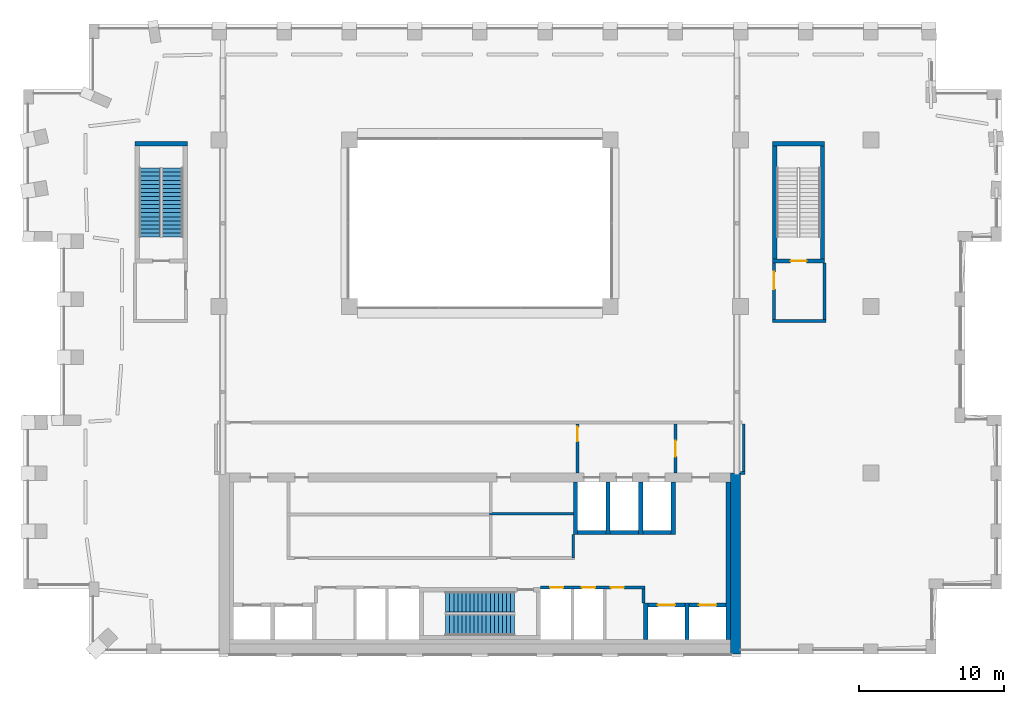
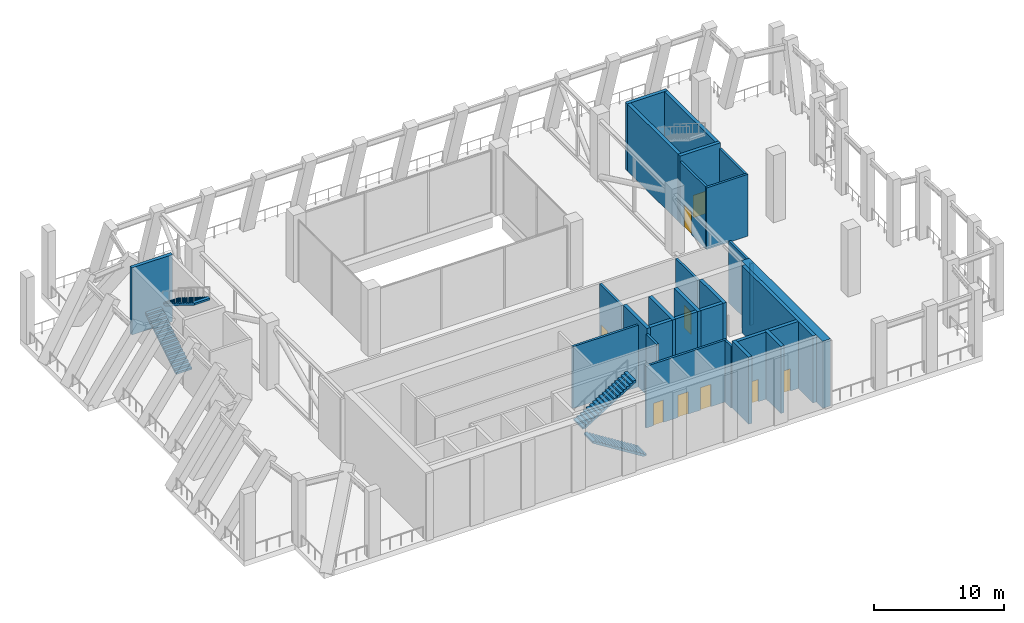
# One storey, part 11 of 14: 29 walls, 9 doors, 4 stair flights, 9 openings, 2 elements without a shape of their own.
"""IFC4 building model written with IfcOpenShell, lengths in metres."""

from ifc_helpers import new_model, si_unit, direction, frame, frame_2d, origin, place, context, subcontext, project, spatial, polyline, rectangle, outline, extrude, material, layer, layer_set, type_object, element, fill, aggregate, save


model = new_model("IFC4")

# Units and contexts
model_context = context("Model", 3, precision=1e-05, world=origin(), true_north=direction((0.0, 1.0)))
body_context = subcontext(model_context, "Body", "Model", "MODEL_VIEW")
ifc_project = project(units=[si_unit("LENGTHUNIT", "METRE"), si_unit("AREAUNIT", "SQUARE_METRE"), si_unit("VOLUMEUNIT", "CUBIC_METRE"), si_unit("PLANEANGLEUNIT", "RADIAN"), si_unit("MASSUNIT", "GRAM", prefix="KILO")], contexts=[model_context])

# Site, building, storey
site_placement = place(None, origin())
site = spatial("IfcSite", under=ifc_project, at=site_placement, CompositionType="ELEMENT")
building_placement = place(site_placement, origin())
building = spatial("IfcBuilding", under=site, at=building_placement, Name="Brigalow Station Residences", CompositionType="ELEMENT")
storey_placement = place(building_placement, frame((0.0, 0.0, 185.39990234375)))
storey = spatial("IfcBuildingStorey", under=building, at=storey_placement, Name="L54", CompositionType="ELEMENT", Elevation=185.39990234375)

# Walls
ifc_material_1 = material(Name="Concrete C65", Category="concrete")
ifc_layer_1 = layer(ifc_material_1, 0.300048828125)
ifc_layer_set_1 = layer_set([ifc_layer_1], Name="CORE SHEAR WALL 300 C65")
wall_type_1 = type_object("IfcWallType", Name="CORE SHEAR WALL 300 C65", PredefinedType="SHEAR", material=ifc_layer_set_1)
wall_1_placement = place(storey_placement, frame((53.14990234375, 1.0, 0.0), z_axis=(0.0, 0.0, 1.0), x_axis=(0.0, 1.0, 0.0)))
element("IfcWall", 1, at=wall_1_placement, inside=storey, type_object=wall_type_1, Name="CORE WALL LIN-E L54", PredefinedType="SHEAR", context=body_context, shape_type="SweptSolid", body=[
    extrude(rectangle(XDim=10.89990234375, YDim=0.300048828125, at=frame_2d((5.449951171875, 0.0))), origin(), (0.0, 0.0, 1.0), 6.300048828125),
])
wall_2_placement = place(storey_placement, frame((42.75, 8.39990234375, 0.0), z_axis=(0.0, 0.0, 1.0), x_axis=(1.0, 0.0, 0.0)))
element("IfcWall", 2, at=wall_2_placement, inside=storey, type_object=wall_type_1, Name="CORE WALL SH-FF1-S L54", PredefinedType="SHEAR", context=body_context, shape_type="SweptSolid", body=[
    extrude(rectangle(XDim=1.949951171875, YDim=0.300048828125, at=frame_2d((0.97509765625, 0.0))), origin(), (0.0, 0.0, 1.0), 6.300048828125),
])
wall_3_placement = place(storey_placement, frame((42.60009765625, 8.25, 0.0), z_axis=(0.0, 0.0, 1.0), x_axis=(0.0, 1.0, 0.0)))
element("IfcWall", 3, at=wall_3_placement, inside=storey, type_object=wall_type_1, Name="CORE WALL SH-FF1-W L54", PredefinedType="SHEAR", context=body_context, shape_type="SweptSolid", body=[
    extrude(rectangle(XDim=3.64990234375, YDim=0.300048828125, at=frame_2d((1.824951171875, 0.0))), origin(), (0.0, 0.0, 1.0), 6.300048828125),
])
wall_4_placement = place(storey_placement, frame((45.0, 8.39990234375, 0.0), z_axis=(0.0, 0.0, 1.0), x_axis=(1.0, 0.0, 0.0)))
element("IfcWall", 4, at=wall_4_placement, inside=storey, type_object=wall_type_1, Name="CORE WALL SH-FF2-S L54", PredefinedType="SHEAR", context=body_context, shape_type="SweptSolid", body=[
    extrude(rectangle(XDim=1.949951171875, YDim=0.300048828125, at=frame_2d((0.97509765625, 0.0))), origin(), (0.0, 0.0, 1.0), 6.300048828125),
])
wall_5_placement = place(storey_placement, frame((44.85009765625, 8.25, 0.0), z_axis=(0.0, 0.0, 1.0), x_axis=(0.0, 1.0, 0.0)))
element("IfcWall", 5, at=wall_5_placement, inside=storey, type_object=wall_type_1, Name="CORE WALL SH-FF2-W L54", PredefinedType="SHEAR", context=body_context, shape_type="SweptSolid", body=[
    extrude(rectangle(XDim=3.64990234375, YDim=0.300048828125, at=frame_2d((1.824951171875, 0.0))), origin(), (0.0, 0.0, 1.0), 6.300048828125),
])
wall_6_placement = place(storey_placement, frame((47.25, 8.39990234375, 0.0), z_axis=(0.0, 0.0, 1.0), x_axis=(1.0, 0.0, 0.0)))
element("IfcWall", 6, at=wall_6_placement, inside=storey, type_object=wall_type_1, Name="CORE WALL SH-SL1-S L54", PredefinedType="SHEAR", context=body_context, shape_type="SweptSolid", body=[
    extrude(rectangle(XDim=1.949951171875, YDim=0.300048828125, at=frame_2d((0.97509765625, 0.0))), origin(), (0.0, 0.0, 1.0), 6.300048828125),
])
for number, where, z_axis, x_axis, name in (
    (7, (47.10009765625, 8.25, 0.0), (0.0, 0.0, 1.0), (0.0, 1.0, 0.0), "CORE WALL SH-SL1-W L54"),
    (8, (49.35009765625, 8.25, 0.0), (0.0, 0.0, 1.0), (0.0, 1.0, 0.0), "CORE WALL SH-SL1-E L54"),
):
    element("IfcWall", number, at=place(storey_placement, frame(where, z_axis=z_axis, x_axis=x_axis)), inside=storey, type_object=wall_type_1, Name=name, PredefinedType="SHEAR", context=body_context, shape_type="SweptSolid", body=[
        extrude(rectangle(XDim=3.64990234375, YDim=0.300048828125, at=frame_2d((1.824951171875, 0.0))), origin(), (0.0, 0.0, 1.0), 6.300048828125),
    ])

# Wall, opening, door
wall_7_placement = place(storey_placement, frame((47.60009765625, 3.39990234375, 0.0), z_axis=(0.0, 0.0, 1.0), x_axis=(1.0, 0.0, 0.0)))
wall_7 = element("IfcWall", 9, at=wall_7_placement, inside=storey, type_object=wall_type_1, Name="CORE WALL SH-C3-N L54", PredefinedType="SHEAR", context=body_context, shape_type="SweptSolid", body=[
    extrude(rectangle(XDim=2.5498046875, YDim=0.300048828125, at=frame_2d((1.27490234375, 0.0))), origin(), (0.0, 0.0, 1.0), 6.300048828125),
])
opening_1_placement = place(wall_7_placement, frame((0.675048828125, 0.0, 0.0)))
opening_1 = element("IfcOpeningElement", 10, at=opening_1_placement, cuts=wall_7, Name="Opening LD-LB3", PredefinedType="OPENING", context=body_context, shape_type="SweptSolid", body=[
    extrude(rectangle(XDim=1.199951171875, YDim=2.10009765625, at=frame_2d((0.60009765625, 1.050048828125))), frame((0.0, 0.16015625, 0.0), z_axis=(0.0, -1.0, 0.0), x_axis=(1.0, 0.0, 0.0)), (0.0, 0.0, 1.0), 0.320068359375),
])
ifc_material_2 = material(Name="Stainless steel sliding door leaves", Category="steel")
door_type_1 = type_object("IfcDoorType", Name="LIFT LANDING DOOR 1200 x 2100", OperationType="DOUBLE_DOOR_SLIDING", PredefinedType="DOOR", material=ifc_material_2)
door_1_placement = place(opening_1_placement, origin())
door_1 = element("IfcDoor", 11, at=door_1_placement, inside=storey, type_object=door_type_1, Name="LANDING DOOR LB3", OperationType="DOUBLE_DOOR_SLIDING", OverallHeight=2.10009765625, OverallWidth=1.199951171875, PredefinedType="DOOR", context=body_context, shape_type="SweptSolid", body=[
    extrude(rectangle(XDim=1.199951171875, YDim=2.10009765625, at=frame_2d((0.60009765625, 1.050048828125))), frame((0.0, 0.02490234375, 0.0), z_axis=(0.0, -1.0, 0.0), x_axis=(1.0, 0.0, 0.0)), (0.0, 0.0, 1.0), 0.050048828125),
])
fill(opening_1, door_1)

# Wall
wall_8_placement = place(storey_placement, frame((47.449951171875, 1.0, 0.0), z_axis=(0.0, 0.0, 1.0), x_axis=(0.0, 1.0, 0.0)))
element("IfcWall", 12, at=wall_8_placement, inside=storey, type_object=wall_type_1, Name="CORE WALL SH-C3-W L54", PredefinedType="SHEAR", context=body_context, shape_type="SweptSolid", body=[
    extrude(rectangle(XDim=2.550048828125, YDim=0.300048828125, at=frame_2d((1.27490234375, 0.0))), origin(), (0.0, 0.0, 1.0), 6.300048828125),
])

# Wall, opening, door
wall_9_placement = place(storey_placement, frame((50.449951171875, 3.39990234375, 0.0), z_axis=(0.0, 0.0, 1.0), x_axis=(1.0, 0.0, 0.0)))
wall_9 = element("IfcWall", 13, at=wall_9_placement, inside=storey, type_object=wall_type_1, Name="CORE WALL SH-C4-N L54", PredefinedType="SHEAR", context=body_context, shape_type="SweptSolid", body=[
    extrude(rectangle(XDim=2.550048828125, YDim=0.300048828125, at=frame_2d((1.27490234375, 0.0))), origin(), (0.0, 0.0, 1.0), 6.300048828125),
])
opening_2_placement = place(wall_9_placement, frame((0.675048828125, 0.0, 0.0)))
opening_2 = element("IfcOpeningElement", 14, at=opening_2_placement, cuts=wall_9, Name="Opening LD-LB4", PredefinedType="OPENING", context=body_context, shape_type="SweptSolid", body=[
    extrude(rectangle(XDim=1.199951171875, YDim=2.10009765625, at=frame_2d((0.60009765625, 1.050048828125))), frame((0.0, 0.16015625, 0.0), z_axis=(0.0, -1.0, 0.0), x_axis=(1.0, 0.0, 0.0)), (0.0, 0.0, 1.0), 0.320068359375),
])
door_2_placement = place(opening_2_placement, origin())
door_2 = element("IfcDoor", 15, at=door_2_placement, inside=storey, type_object=door_type_1, Name="LANDING DOOR LB4", OperationType="DOUBLE_DOOR_SLIDING", OverallHeight=2.10009765625, OverallWidth=1.199951171875, PredefinedType="DOOR", context=body_context, shape_type="SweptSolid", body=[
    extrude(rectangle(XDim=1.199951171875, YDim=2.10009765625, at=frame_2d((0.60009765625, 1.050048828125))), frame((0.0, 0.02490234375, 0.0), z_axis=(0.0, -1.0, 0.0), x_axis=(1.0, 0.0, 0.0)), (0.0, 0.0, 1.0), 0.050048828125),
])
fill(opening_2, door_2)

# Walls
wall_10_placement = place(storey_placement, frame((50.300048828125, 1.0, 0.0), z_axis=(0.0, 0.0, 1.0), x_axis=(0.0, 1.0, 0.0)))
element("IfcWall", 16, at=wall_10_placement, inside=storey, type_object=wall_type_1, Name="CORE WALL SH-C4-W L54", PredefinedType="SHEAR", context=body_context, shape_type="SweptSolid", body=[
    extrude(rectangle(XDim=2.550048828125, YDim=0.300048828125, at=frame_2d((1.27490234375, 0.0))), origin(), (0.0, 0.0, 1.0), 6.300048828125),
])
wall_11_placement = place(storey_placement, frame((12.199951171875, 35.25, 0.0), z_axis=(0.0, 0.0, 1.0), x_axis=(1.0, 0.0, 0.0)))
element("IfcWall", 17, at=wall_11_placement, inside=storey, type_object=wall_type_1, Name="CORE WALL ST-S1-N L54", PredefinedType="SHEAR", context=body_context, shape_type="SweptSolid", body=[
    extrude(rectangle(XDim=3.60009765625, YDim=0.300048828125, at=frame_2d((1.800048828125, 0.0))), origin(), (0.0, 0.0, 1.0), 6.300048828125),
])

# Wall, opening, door
wall_12_placement = place(storey_placement, frame((56.199951171875, 27.14990234375, 0.0), z_axis=(0.0, 0.0, 1.0), x_axis=(1.0, 0.0, 0.0)))
wall_12 = element("IfcWall", 18, at=wall_12_placement, inside=storey, type_object=wall_type_1, Name="CORE WALL ST-S3-S L54", PredefinedType="SHEAR", context=body_context, shape_type="SweptSolid", body=[
    extrude(rectangle(XDim=3.60009765625, YDim=0.300048828125, at=frame_2d((1.800048828125, 0.0))), origin(), (0.0, 0.0, 1.0), 6.300048828125),
])
opening_3_placement = place(wall_12_placement, frame((1.25, 0.0, 0.0)))
opening_3 = element("IfcOpeningElement", 19, at=opening_3_placement, cuts=wall_12, Name="Opening D-5018", PredefinedType="OPENING", context=body_context, shape_type="SweptSolid", body=[
    extrude(rectangle(XDim=1.10009765625, YDim=2.10009765625, at=frame_2d((0.550048828125, 1.050048828125))), frame((0.0, 0.16015625, 0.0), z_axis=(0.0, -1.0, 0.0), x_axis=(1.0, 0.0, 0.0)), (0.0, 0.0, 1.0), 0.320068359375),
])
ifc_material_3 = material(Name="Steel fire door leaf in steel frame", Category="steel")
door_type_2 = type_object("IfcDoorType", Name="STAIR DOOR 1100 x 2100 FD60S", OperationType="SINGLE_SWING_LEFT", PredefinedType="DOOR", material=ifc_material_3)
door_3_placement = place(opening_3_placement, origin())
door_3 = element("IfcDoor", 20, at=door_3_placement, inside=storey, type_object=door_type_2, Name="D-5018", OperationType="SINGLE_SWING_LEFT", OverallHeight=2.10009765625, OverallWidth=1.10009765625, PredefinedType="DOOR", context=body_context, shape_type="SweptSolid", body=[
    extrude(rectangle(XDim=1.10009765625, YDim=2.10009765625, at=frame_2d((0.550048828125, 1.050048828125))), frame((0.0, 0.02490234375, 0.0), z_axis=(0.0, -1.0, 0.0), x_axis=(1.0, 0.0, 0.0)), (0.0, 0.0, 1.0), 0.050048828125),
])
fill(opening_3, door_3)

# Walls
wall_13_placement = place(storey_placement, frame((56.199951171875, 35.25, 0.0), z_axis=(0.0, 0.0, 1.0), x_axis=(1.0, 0.0, 0.0)))
element("IfcWall", 21, at=wall_13_placement, inside=storey, type_object=wall_type_1, Name="CORE WALL ST-S3-N L54", PredefinedType="SHEAR", context=body_context, shape_type="SweptSolid", body=[
    extrude(rectangle(XDim=3.60009765625, YDim=0.300048828125, at=frame_2d((1.800048828125, 0.0))), origin(), (0.0, 0.0, 1.0), 6.300048828125),
])
for number, where, z_axis, x_axis, name in (
    (22, (56.35009765625, 27.300048828125, 0.0), (0.0, 0.0, 1.0), (0.0, 1.0, 0.0), "CORE WALL ST-S3-W L54"),
    (23, (59.64990234375, 27.300048828125, 0.0), (0.0, 0.0, 1.0), (0.0, 1.0, 0.0), "CORE WALL ST-S3-E L54"),
):
    element("IfcWall", number, at=place(storey_placement, frame(where, z_axis=z_axis, x_axis=x_axis)), inside=storey, type_object=wall_type_1, Name=name, PredefinedType="SHEAR", context=body_context, shape_type="SweptSolid", body=[
        extrude(rectangle(XDim=7.800048828125, YDim=0.300048828125, at=frame_2d((3.89990234375, 0.0))), origin(), (0.0, 0.0, 1.0), 6.300048828125),
    ])
ifc_material_4 = material(Name="Concrete C65", Category="concrete")
ifc_layer_2 = layer(ifc_material_4, 0.699951171875)
ifc_layer_set_2 = layer_set([ifc_layer_2], Name="CORE SHEAR WALL 700 C65")
wall_type_2 = type_object("IfcWallType", Name="CORE SHEAR WALL 700 C65", PredefinedType="SHEAR", material=ifc_layer_set_2)
wall_14_placement = place(storey_placement, frame((53.64990234375, 0.0, 0.0), z_axis=(0.0, 0.0, 1.0), x_axis=(0.0, 1.0, 0.0)))
element("IfcWall", 24, at=wall_14_placement, inside=storey, type_object=wall_type_2, Name="CORE WALL OUT-E L54", PredefinedType="SHEAR", context=body_context, shape_type="SweptSolid", body=[
    extrude(rectangle(XDim=12.5, YDim=0.699951171875, at=frame_2d((6.25, 0.0))), origin(), (0.0, 0.0, 1.0), 6.300048828125),
])

# Wall, openings, doors
ifc_material_5 = material(Name="Concrete blockwork", Category="masonry")
ifc_layer_3 = layer(ifc_material_5, 0.199951171875)
ifc_layer_set_3 = layer_set([ifc_layer_3], Name="FIRE RATED CORE PARTITION 200")
wall_type_3 = type_object("IfcWallType", Name="FIRE RATED CORE PARTITION 200", PredefinedType="PARTITIONING", material=ifc_layer_set_3)
wall_15_placement = place(storey_placement, frame((40.199951171875, 4.60009765625, 0.0), z_axis=(0.0, 0.0, 1.0), x_axis=(1.0, 0.0, 0.0)))
wall_15 = element("IfcWall", 25, at=wall_15_placement, inside=storey, type_object=wall_type_3, Name="PW-5244", PredefinedType="PARTITIONING", context=body_context, shape_type="SweptSolid", body=[
    extrude(rectangle(XDim=7.199951171875, YDim=0.199951171875, at=frame_2d((3.60009765625, 0.0))), origin(), (0.0, 0.0, 1.0), 5.800048828125),
])
opening_4_placement = place(wall_15_placement, frame((4.85009765625, 0.0, 0.0)))
opening_4 = element("IfcOpeningElement", 26, at=opening_4_placement, cuts=wall_15, Name="Opening D-5005", PredefinedType="OPENING", context=body_context, shape_type="SweptSolid", body=[
    extrude(rectangle(XDim=0.89990234375, YDim=2.10009765625, at=frame_2d((0.449951171875, 1.050048828125))), frame((0.0, 0.10986328125, 0.0), z_axis=(0.0, -1.0, 0.0), x_axis=(1.0, 0.0, 0.0)), (0.0, 0.0, 1.0), 0.219970703125),
])
opening_5_placement = place(wall_15_placement, frame((0.64990234375, 0.0, 0.0)))
opening_5 = element("IfcOpeningElement", 27, at=opening_5_placement, cuts=wall_15, Name="Opening D-5009", PredefinedType="OPENING", context=body_context, shape_type="SweptSolid", body=[
    extrude(rectangle(XDim=0.89990234375, YDim=2.10009765625, at=frame_2d((0.449951171875, 1.050048828125))), frame((0.0, 0.10986328125, 0.0), z_axis=(0.0, -1.0, 0.0), x_axis=(1.0, 0.0, 0.0)), (0.0, 0.0, 1.0), 0.219970703125),
])
opening_6_placement = place(wall_15_placement, frame((2.85009765625, 0.0, 0.0)))
opening_6 = element("IfcOpeningElement", 28, at=opening_6_placement, cuts=wall_15, Name="Opening D-5010", PredefinedType="OPENING", context=body_context, shape_type="SweptSolid", body=[
    extrude(rectangle(XDim=0.89990234375, YDim=2.10009765625, at=frame_2d((0.449951171875, 1.050048828125))), frame((0.0, 0.10986328125, 0.0), z_axis=(0.0, -1.0, 0.0), x_axis=(1.0, 0.0, 0.0)), (0.0, 0.0, 1.0), 0.219970703125),
])
ifc_material_6 = material(Name="Steel fire door leaf in steel frame", Category="steel")
door_type_3 = type_object("IfcDoorType", Name="PLANT ROOM DOOR 900 x 2100 FD60", OperationType="SINGLE_SWING_LEFT", PredefinedType="DOOR", material=ifc_material_6)
door_4_placement = place(opening_4_placement, frame((0.89990234375, 0.0, 0.0), z_axis=(0.0, 0.0, 1.0), x_axis=(-1.0, 0.0, 0.0)))
door_4 = element("IfcDoor", 29, at=door_4_placement, inside=storey, type_object=door_type_3, Name="D-5005", OperationType="SINGLE_SWING_RIGHT", OverallHeight=2.10009765625, OverallWidth=0.89990234375, PredefinedType="DOOR", context=body_context, shape_type="SweptSolid", body=[
    extrude(rectangle(XDim=0.89990234375, YDim=2.10009765625, at=frame_2d((0.449951171875, 1.050048828125))), frame((0.0, 0.02490234375, 0.0), z_axis=(0.0, -1.0, 0.0), x_axis=(1.0, 0.0, 0.0)), (0.0, 0.0, 1.0), 0.050048828125),
])
fill(opening_4, door_4)
ifc_material_7 = material(Name="Steel fire door leaf in steel frame", Category="steel")
door_type_4 = type_object("IfcDoorType", Name="RISER ACCESS DOOR 900 x 2100 FD120", OperationType="SINGLE_SWING_LEFT", PredefinedType="DOOR", material=ifc_material_7)
door_5_placement = place(opening_5_placement, frame((0.89990234375, 0.0, 0.0), z_axis=(0.0, 0.0, 1.0), x_axis=(-1.0, 0.0, 0.0)))
door_5 = element("IfcDoor", 30, at=door_5_placement, inside=storey, type_object=door_type_4, Name="D-5009", OperationType="SINGLE_SWING_LEFT", OverallHeight=2.10009765625, OverallWidth=0.89990234375, PredefinedType="DOOR", context=body_context, shape_type="SweptSolid", body=[
    extrude(rectangle(XDim=0.89990234375, YDim=2.10009765625, at=frame_2d((0.449951171875, 1.050048828125))), frame((0.0, 0.02490234375, 0.0), z_axis=(0.0, -1.0, 0.0), x_axis=(1.0, 0.0, 0.0)), (0.0, 0.0, 1.0), 0.050048828125),
])
fill(opening_5, door_5)
door_6_placement = place(opening_6_placement, frame((0.89990234375, 0.0, 0.0), z_axis=(0.0, 0.0, 1.0), x_axis=(-1.0, 0.0, 0.0)))
door_6 = element("IfcDoor", 31, at=door_6_placement, inside=storey, type_object=door_type_4, Name="D-5010", OperationType="SINGLE_SWING_RIGHT", OverallHeight=2.10009765625, OverallWidth=0.89990234375, PredefinedType="DOOR", context=body_context, shape_type="SweptSolid", body=[
    extrude(rectangle(XDim=0.89990234375, YDim=2.10009765625, at=frame_2d((0.449951171875, 1.050048828125))), frame((0.0, 0.02490234375, 0.0), z_axis=(0.0, -1.0, 0.0), x_axis=(1.0, 0.0, 0.0)), (0.0, 0.0, 1.0), 0.050048828125),
])
fill(opening_6, door_6)

# Walls
wall_16_placement = place(storey_placement, frame((36.64990234375, 9.695068359375, 0.0), z_axis=(0.0, 0.0, 1.0), x_axis=(1.0, 0.0, 0.0)))
element("IfcWall", 32, at=wall_16_placement, inside=storey, type_object=wall_type_3, Name="PW-5296", PredefinedType="PARTITIONING", context=body_context, shape_type="SweptSolid", body=[
    extrude(rectangle(XDim=5.800048828125, YDim=0.199951171875, at=frame_2d((2.89990234375, 0.0))), origin(), (0.0, 0.0, 1.0), 5.800048828125),
])
wall_17_placement = place(storey_placement, frame((54.0, 12.5, 0.0), z_axis=(0.0, 0.0, 1.0), x_axis=(1.0, 0.0, 0.0)))
element("IfcWall", 33, at=wall_17_placement, inside=storey, type_object=wall_type_3, Name="PW-5249", PredefinedType="PARTITIONING", context=body_context, shape_type="SweptSolid", body=[
    extrude(rectangle(XDim=0.320068359375, YDim=0.199951171875, at=frame_2d((0.16015625, 0.0))), origin(), (0.0, 0.0, 1.0), 5.800048828125),
])
wall_18_placement = place(storey_placement, frame((56.199951171875, 23.0, 0.0), z_axis=(0.0, 0.0, 1.0), x_axis=(1.0, 0.0, 0.0)))
element("IfcWall", 34, at=wall_18_placement, inside=storey, type_object=wall_type_3, Name="PW-5351", PredefinedType="PARTITIONING", context=body_context, shape_type="SweptSolid", body=[
    extrude(rectangle(XDim=3.699951171875, YDim=0.199951171875, at=frame_2d((1.85009765625, 0.0))), origin(), (0.0, 0.0, 1.0), 5.800048828125),
])
wall_19_placement = place(storey_placement, frame((47.300048828125, 3.550048828125, 0.0), z_axis=(0.0, 0.0, 1.0), x_axis=(0.0, 1.0, 0.0)))
element("IfcWall", 35, at=wall_19_placement, inside=storey, type_object=wall_type_3, Name="PW-5251", PredefinedType="PARTITIONING", context=body_context, shape_type="SweptSolid", body=[
    extrude(rectangle(XDim=0.949951171875, YDim=0.199951171875, at=frame_2d((0.47509765625, 0.0))), origin(), (0.0, 0.0, 1.0), 5.800048828125),
])
wall_20_placement = place(storey_placement, frame((42.449951171875, 6.64990234375, 0.0), z_axis=(0.0, 0.0, 1.0), x_axis=(0.0, 1.0, 0.0)))
element("IfcWall", 36, at=wall_20_placement, inside=storey, type_object=wall_type_3, Name="PW-5011", PredefinedType="PARTITIONING", context=body_context, shape_type="SweptSolid", body=[
    extrude(rectangle(XDim=1.60009765625, YDim=0.199951171875, at=frame_2d((0.800048828125, 0.0))), origin(), (0.0, 0.0, 1.0), 5.800048828125),
])

# Wall, opening, door
wall_21_placement = place(storey_placement, frame((42.75, 12.5, 0.0), z_axis=(0.0, 0.0, 1.0), x_axis=(0.0, 1.0, 0.0)))
wall_21 = element("IfcWall", 37, at=wall_21_placement, inside=storey, type_object=wall_type_3, Name="PW-5014", PredefinedType="PARTITIONING", context=body_context, shape_type="SweptSolid", body=[
    extrude(rectangle(XDim=3.39990234375, YDim=0.199951171875, at=frame_2d((1.699951171875, 0.0))), origin(), (0.0, 0.0, 1.0), 5.800048828125),
])
opening_7_placement = place(wall_21_placement, frame((2.199951171875, 0.0, 0.0)))
opening_7 = element("IfcOpeningElement", 38, at=opening_7_placement, cuts=wall_21, Name="Opening D-5013", PredefinedType="OPENING", context=body_context, shape_type="SweptSolid", body=[
    extrude(rectangle(XDim=1.0, YDim=2.10009765625, at=frame_2d((0.5, 1.050048828125))), frame((0.0, 0.10986328125, 0.0), z_axis=(0.0, -1.0, 0.0), x_axis=(1.0, 0.0, 0.0)), (0.0, 0.0, 1.0), 0.219970703125),
])
ifc_material_8 = material(Name="Steel fire door leaf in steel frame", Category="steel")
door_type_5 = type_object("IfcDoorType", Name="LOBBY DOOR 1000 x 2100 FD60S", OperationType="SINGLE_SWING_LEFT", PredefinedType="DOOR", material=ifc_material_8)
door_7_placement = place(opening_7_placement, origin())
door_7 = element("IfcDoor", 39, at=door_7_placement, inside=storey, type_object=door_type_5, Name="D-5013", OperationType="SINGLE_SWING_RIGHT", OverallHeight=2.10009765625, OverallWidth=1.0, PredefinedType="DOOR", context=body_context, shape_type="SweptSolid", body=[
    extrude(rectangle(XDim=1.0, YDim=2.10009765625, at=frame_2d((0.5, 1.050048828125))), frame((0.0, 0.02490234375, 0.0), z_axis=(0.0, -1.0, 0.0), x_axis=(1.0, 0.0, 0.0)), (0.0, 0.0, 1.0), 0.050048828125),
])
fill(opening_7, door_7)

wall_22_placement = place(storey_placement, frame((49.5, 12.5, 0.0), z_axis=(0.0, 0.0, 1.0), x_axis=(0.0, 1.0, 0.0)))
wall_22 = element("IfcWall", 40, at=wall_22_placement, inside=storey, type_object=wall_type_3, Name="PW-5015", PredefinedType="PARTITIONING", context=body_context, shape_type="SweptSolid", body=[
    extrude(rectangle(XDim=3.39990234375, YDim=0.199951171875, at=frame_2d((1.699951171875, 0.0))), origin(), (0.0, 0.0, 1.0), 5.800048828125),
])
opening_8_placement = place(wall_22_placement, frame((1.14990234375, 0.0, 0.0)))
opening_8 = element("IfcOpeningElement", 41, at=opening_8_placement, cuts=wall_22, Name="Opening D-5014", PredefinedType="OPENING", context=body_context, shape_type="SweptSolid", body=[
    extrude(rectangle(XDim=1.10009765625, YDim=2.10009765625, at=frame_2d((0.550048828125, 1.050048828125))), frame((0.0, 0.10986328125, 0.0), z_axis=(0.0, -1.0, 0.0), x_axis=(1.0, 0.0, 0.0)), (0.0, 0.0, 1.0), 0.219970703125),
])
ifc_material_9 = material(Name="Steel fire door leaf in steel frame", Category="steel")
door_type_6 = type_object("IfcDoorType", Name="LOBBY DOOR 1100 x 2100 FD60S", OperationType="SINGLE_SWING_LEFT", PredefinedType="DOOR", material=ifc_material_9)
door_8_placement = place(opening_8_placement, origin())
door_8 = element("IfcDoor", 42, at=door_8_placement, inside=storey, type_object=door_type_6, Name="D-5014", OperationType="SINGLE_SWING_RIGHT", OverallHeight=2.10009765625, OverallWidth=1.10009765625, PredefinedType="DOOR", context=body_context, shape_type="SweptSolid", body=[
    extrude(rectangle(XDim=1.10009765625, YDim=2.10009765625, at=frame_2d((0.550048828125, 1.050048828125))), frame((0.0, 0.02490234375, 0.0), z_axis=(0.0, -1.0, 0.0), x_axis=(1.0, 0.0, 0.0)), (0.0, 0.0, 1.0), 0.050048828125),
])
fill(opening_8, door_8)

# Wall
wall_23_placement = place(storey_placement, frame((54.219970703125, 12.60009765625, 0.0), z_axis=(0.0, 0.0, 1.0), x_axis=(0.0, 1.0, 0.0)))
element("IfcWall", 43, at=wall_23_placement, inside=storey, type_object=wall_type_3, Name="PW-5258", PredefinedType="PARTITIONING", context=body_context, shape_type="SweptSolid", body=[
    extrude(rectangle(XDim=3.2998046875, YDim=0.199951171875, at=frame_2d((1.64990234375, 0.0))), origin(), (0.0, 0.0, 1.0), 5.800048828125),
])

# Wall, opening, door
wall_24_placement = place(storey_placement, frame((56.300048828125, 23.0, 0.0), z_axis=(0.0, 0.0, 1.0), x_axis=(0.0, 1.0, 0.0)))
wall_24 = element("IfcWall", 44, at=wall_24_placement, inside=storey, type_object=wall_type_3, Name="PW-5352", PredefinedType="PARTITIONING", context=body_context, shape_type="SweptSolid", body=[
    extrude(rectangle(XDim=4.0, YDim=0.199951171875, at=frame_2d((2.0, 0.0))), origin(), (0.0, 0.0, 1.0), 5.800048828125),
])
opening_9_placement = place(wall_24_placement, frame((2.199951171875, 0.0, 0.0)))
opening_9 = element("IfcOpeningElement", 45, at=opening_9_placement, cuts=wall_24, Name="Opening D-5178", PredefinedType="OPENING", context=body_context, shape_type="SweptSolid", body=[
    extrude(rectangle(XDim=1.199951171875, YDim=2.10009765625, at=frame_2d((0.60009765625, 1.050048828125))), frame((0.0, 0.10986328125, 0.0), z_axis=(0.0, -1.0, 0.0), x_axis=(1.0, 0.0, 0.0)), (0.0, 0.0, 1.0), 0.219970703125),
])
ifc_material_10 = material(Name="Steel fire door leaf in steel frame", Category="steel")
door_type_7 = type_object("IfcDoorType", Name="STAIR LOBBY DOOR 1200 x 2100 FD60S", OperationType="SINGLE_SWING_LEFT", PredefinedType="DOOR", material=ifc_material_10)
door_9_placement = place(opening_9_placement, origin())
door_9 = element("IfcDoor", 46, at=door_9_placement, inside=storey, type_object=door_type_7, Name="D-5178", OperationType="SINGLE_SWING_LEFT", OverallHeight=2.10009765625, OverallWidth=1.199951171875, PredefinedType="DOOR", context=body_context, shape_type="SweptSolid", body=[
    extrude(rectangle(XDim=1.199951171875, YDim=2.10009765625, at=frame_2d((0.60009765625, 1.050048828125))), frame((0.0, 0.02490234375, 0.0), z_axis=(0.0, -1.0, 0.0), x_axis=(1.0, 0.0, 0.0)), (0.0, 0.0, 1.0), 0.050048828125),
])
fill(opening_9, door_9)

# Wall
wall_25_placement = place(storey_placement, frame((59.800048828125, 23.10009765625, 0.0), z_axis=(0.0, 0.0, 1.0), x_axis=(0.0, 1.0, 0.0)))
element("IfcWall", 47, at=wall_25_placement, inside=storey, type_object=wall_type_3, Name="PW-5037", PredefinedType="PARTITIONING", context=body_context, shape_type="SweptSolid", body=[
    extrude(rectangle(XDim=3.89990234375, YDim=0.199951171875, at=frame_2d((1.949951171875, 0.0))), origin(), (0.0, 0.0, 1.0), 5.800048828125),
])

# Stair, stair flights
ifc_material_11 = material(Name="Concrete C50", Category="concrete")
stair_type = type_object("IfcStairType", Name="EXIT STAIR 1400 2 FLIGHT", PredefinedType="HALF_TURN_STAIR", material=ifc_material_11)
stair_1_placement = place(storey_placement, origin())
stair_1 = element("IfcStair", 48, at=stair_1_placement, inside=storey, type_object=stair_type, Name="EXIT STAIR S2 L54", PredefinedType="HALF_TURN_STAIR")
ifc_material_12 = material(Name="Concrete C50", Category="concrete")
stair_flight_type = type_object("IfcStairFlightType", Name="STAIR FLIGHT 1400", PredefinedType="STRAIGHT", material=ifc_material_12)
stair_flight_1_placement = place(storey_placement, frame((38.39990234375, 2.0, 0.0), z_axis=(0.0, 0.0, 1.0), x_axis=(-1.0, 0.0, 0.0)))
stair_flight_1 = element("IfcStairFlight", 49, at=stair_flight_1_placement, type_object=stair_flight_type, Name="ST-2 flight 1", NumberOfRisers=18, NumberOfTreads=17, PredefinedType="STRAIGHT", RiserHeight=0.175, TreadLength=0.28, context=body_context, shape_type="SweptSolid", body=[
    extrude(outline(polyline([(0.0, 0.0), (0.0, 0.175048828125), (0.280029296875, 0.175048828125), (0.280029296875, 0.35009765625), (0.56005859375, 0.35009765625), (0.56005859375, 0.52490234375), (0.840087890625, 0.52490234375), (0.840087890625, 0.699951171875), (1.1201171875, 0.699951171875), (1.1201171875, 0.875), (1.39990234375, 0.875), (1.39990234375, 1.050048828125), (1.679931640625, 1.050048828125), (1.679931640625, 1.22509765625), (1.9599609375, 1.22509765625), (1.9599609375, 1.39990234375), (2.239990234375, 1.39990234375), (2.239990234375, 1.574951171875), (2.52001953125, 1.574951171875), (2.52001953125, 1.75), (2.800048828125, 1.75), (2.800048828125, 1.925048828125), (3.080078125, 1.925048828125), (3.080078125, 2.10009765625), (3.360107421875, 2.10009765625), (3.360107421875, 2.27490234375), (3.639892578125, 2.27490234375), (3.639892578125, 2.449951171875), (3.919921875, 2.449951171875), (3.919921875, 2.625), (4.199951171875, 2.625), (4.199951171875, 2.800048828125), (4.47998046875, 2.800048828125), (4.47998046875, 2.97509765625), (4.760009765625, 2.97509765625), (4.760009765625, 3.14990234375), (4.760009765625, 2.79833984375), (0.28271484375, 0.0), (0.0, 0.0)])), frame((0.0, 0.699951171875, 0.0), z_axis=(0.0, -1.0, 0.0), x_axis=(1.0, 0.0, 0.0)), (0.0, 0.0, 1.0), 1.39990234375),
])
stair_flight_2_placement = place(storey_placement, frame((33.639892578125, 3.60009765625, 3.150146484375), z_axis=(0.0, 0.0, 1.0), x_axis=(1.0, 0.0, 0.0)))
stair_flight_2 = element("IfcStairFlight", 50, at=stair_flight_2_placement, type_object=stair_flight_type, Name="ST-2 flight 2", NumberOfRisers=18, NumberOfTreads=17, PredefinedType="STRAIGHT", RiserHeight=0.175, TreadLength=0.28, context=body_context, shape_type="SweptSolid", body=[
    extrude(outline(polyline([(0.0, 0.0), (0.0, 0.175048828125), (0.280029296875, 0.175048828125), (0.280029296875, 0.35009765625), (0.56005859375, 0.35009765625), (0.56005859375, 0.52490234375), (0.840087890625, 0.52490234375), (0.840087890625, 0.699951171875), (1.1201171875, 0.699951171875), (1.1201171875, 0.875), (1.39990234375, 0.875), (1.39990234375, 1.050048828125), (1.679931640625, 1.050048828125), (1.679931640625, 1.22509765625), (1.9599609375, 1.22509765625), (1.9599609375, 1.39990234375), (2.239990234375, 1.39990234375), (2.239990234375, 1.574951171875), (2.52001953125, 1.574951171875), (2.52001953125, 1.75), (2.800048828125, 1.75), (2.800048828125, 1.925048828125), (3.080078125, 1.925048828125), (3.080078125, 2.10009765625), (3.360107421875, 2.10009765625), (3.360107421875, 2.27490234375), (3.639892578125, 2.27490234375), (3.639892578125, 2.449951171875), (3.919921875, 2.449951171875), (3.919921875, 2.625), (4.199951171875, 2.625), (4.199951171875, 2.800048828125), (4.47998046875, 2.800048828125), (4.47998046875, 2.97509765625), (4.760009765625, 2.97509765625), (4.760009765625, 3.14990234375), (4.760009765625, 2.79833984375), (0.28271484375, 0.0), (0.0, 0.0)])), frame((0.0, 0.699951171875, 0.0), z_axis=(0.0, -1.0, 0.0), x_axis=(1.0, 0.0, 0.0)), (0.0, 0.0, 1.0), 1.39990234375),
])
aggregate(stair_1, [stair_flight_1, stair_flight_2])

stair_2_placement = place(storey_placement, origin())
stair_2 = element("IfcStair", 51, at=stair_2_placement, inside=storey, type_object=stair_type, Name="EXIT STAIR S1 L54", PredefinedType="HALF_TURN_STAIR")
stair_flight_3_placement = place(storey_placement, frame((13.199951171875, 28.800048828125, 0.0), z_axis=(0.0, 0.0, 1.0), x_axis=(0.0, 1.0, 0.0)))
stair_flight_3 = element("IfcStairFlight", 52, at=stair_flight_3_placement, type_object=stair_flight_type, Name="ST-1 flight 1", NumberOfRisers=18, NumberOfTreads=17, PredefinedType="STRAIGHT", RiserHeight=0.175, TreadLength=0.28, context=body_context, shape_type="SweptSolid", body=[
    extrude(outline(polyline([(0.0, 0.0), (0.0, 0.175048828125), (0.280029296875, 0.175048828125), (0.280029296875, 0.35009765625), (0.56005859375, 0.35009765625), (0.56005859375, 0.52490234375), (0.840087890625, 0.52490234375), (0.840087890625, 0.699951171875), (1.1201171875, 0.699951171875), (1.1201171875, 0.875), (1.39990234375, 0.875), (1.39990234375, 1.050048828125), (1.679931640625, 1.050048828125), (1.679931640625, 1.22509765625), (1.9599609375, 1.22509765625), (1.9599609375, 1.39990234375), (2.239990234375, 1.39990234375), (2.239990234375, 1.574951171875), (2.52001953125, 1.574951171875), (2.52001953125, 1.75), (2.800048828125, 1.75), (2.800048828125, 1.925048828125), (3.080078125, 1.925048828125), (3.080078125, 2.10009765625), (3.360107421875, 2.10009765625), (3.360107421875, 2.27490234375), (3.639892578125, 2.27490234375), (3.639892578125, 2.449951171875), (3.919921875, 2.449951171875), (3.919921875, 2.625), (4.199951171875, 2.625), (4.199951171875, 2.800048828125), (4.47998046875, 2.800048828125), (4.47998046875, 2.97509765625), (4.760009765625, 2.97509765625), (4.760009765625, 3.14990234375), (4.760009765625, 2.79833984375), (0.28271484375, 0.0), (0.0, 0.0)])), frame((0.0, 0.699951171875, 0.0), z_axis=(0.0, -1.0, 0.0), x_axis=(1.0, 0.0, 0.0)), (0.0, 0.0, 1.0), 1.39990234375),
])
stair_flight_4_placement = place(storey_placement, frame((14.800048828125, 33.56005859375, 3.150146484375), z_axis=(0.0, 0.0, 1.0), x_axis=(0.0, -1.0, 0.0)))
stair_flight_4 = element("IfcStairFlight", 53, at=stair_flight_4_placement, type_object=stair_flight_type, Name="ST-1 flight 2", NumberOfRisers=18, NumberOfTreads=17, PredefinedType="STRAIGHT", RiserHeight=0.175, TreadLength=0.28, context=body_context, shape_type="SweptSolid", body=[
    extrude(outline(polyline([(0.0, 0.0), (0.0, 0.175048828125), (0.280029296875, 0.175048828125), (0.280029296875, 0.35009765625), (0.56005859375, 0.35009765625), (0.56005859375, 0.52490234375), (0.840087890625, 0.52490234375), (0.840087890625, 0.699951171875), (1.1201171875, 0.699951171875), (1.1201171875, 0.875), (1.39990234375, 0.875), (1.39990234375, 1.050048828125), (1.679931640625, 1.050048828125), (1.679931640625, 1.22509765625), (1.9599609375, 1.22509765625), (1.9599609375, 1.39990234375), (2.239990234375, 1.39990234375), (2.239990234375, 1.574951171875), (2.52001953125, 1.574951171875), (2.52001953125, 1.75), (2.800048828125, 1.75), (2.800048828125, 1.925048828125), (3.080078125, 1.925048828125), (3.080078125, 2.10009765625), (3.360107421875, 2.10009765625), (3.360107421875, 2.27490234375), (3.639892578125, 2.27490234375), (3.639892578125, 2.449951171875), (3.919921875, 2.449951171875), (3.919921875, 2.625), (4.199951171875, 2.625), (4.199951171875, 2.800048828125), (4.47998046875, 2.800048828125), (4.47998046875, 2.97509765625), (4.760009765625, 2.97509765625), (4.760009765625, 3.14990234375), (4.760009765625, 2.79833984375), (0.28271484375, 0.0), (0.0, 0.0)])), frame((0.0, 0.699951171875, 0.0), z_axis=(0.0, -1.0, 0.0), x_axis=(1.0, 0.0, 0.0)), (0.0, 0.0, 1.0), 1.39990234375),
])
aggregate(stair_2, [stair_flight_3, stair_flight_4])

save(model, "model.ifc")
